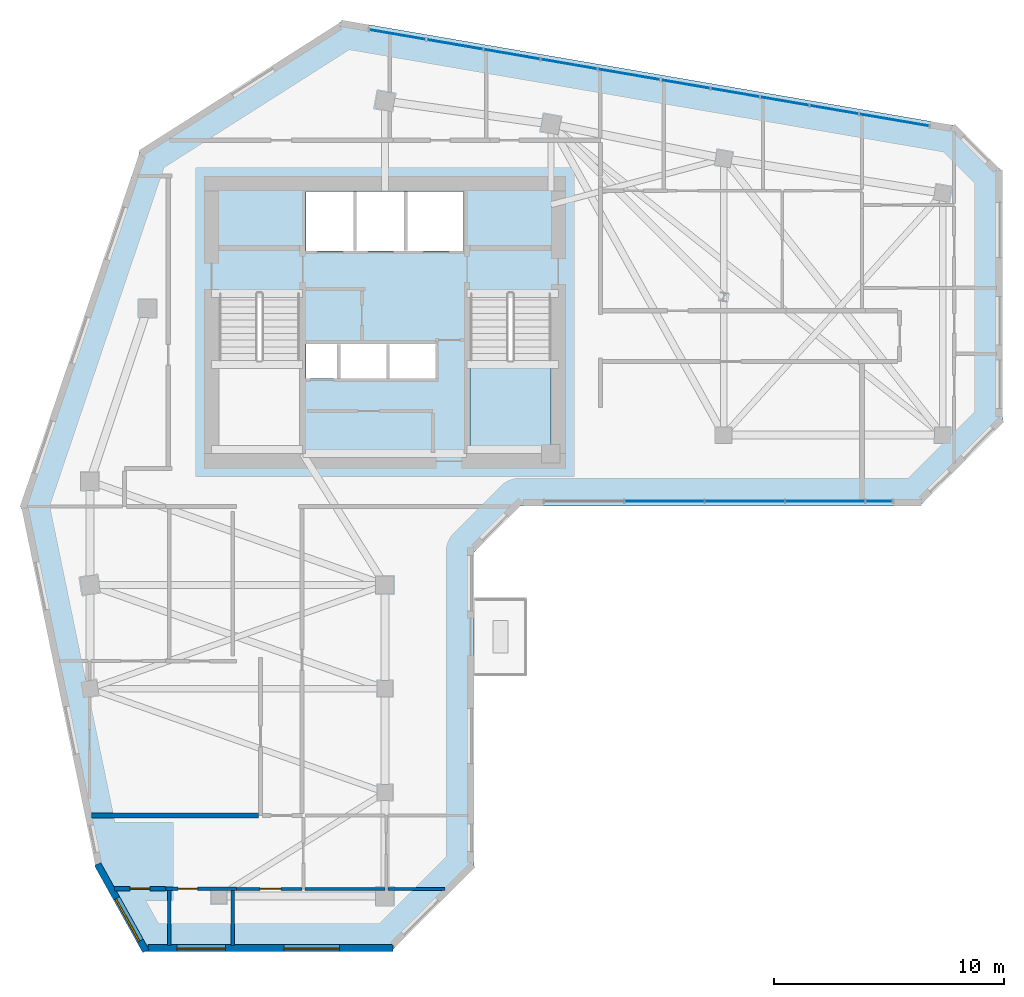
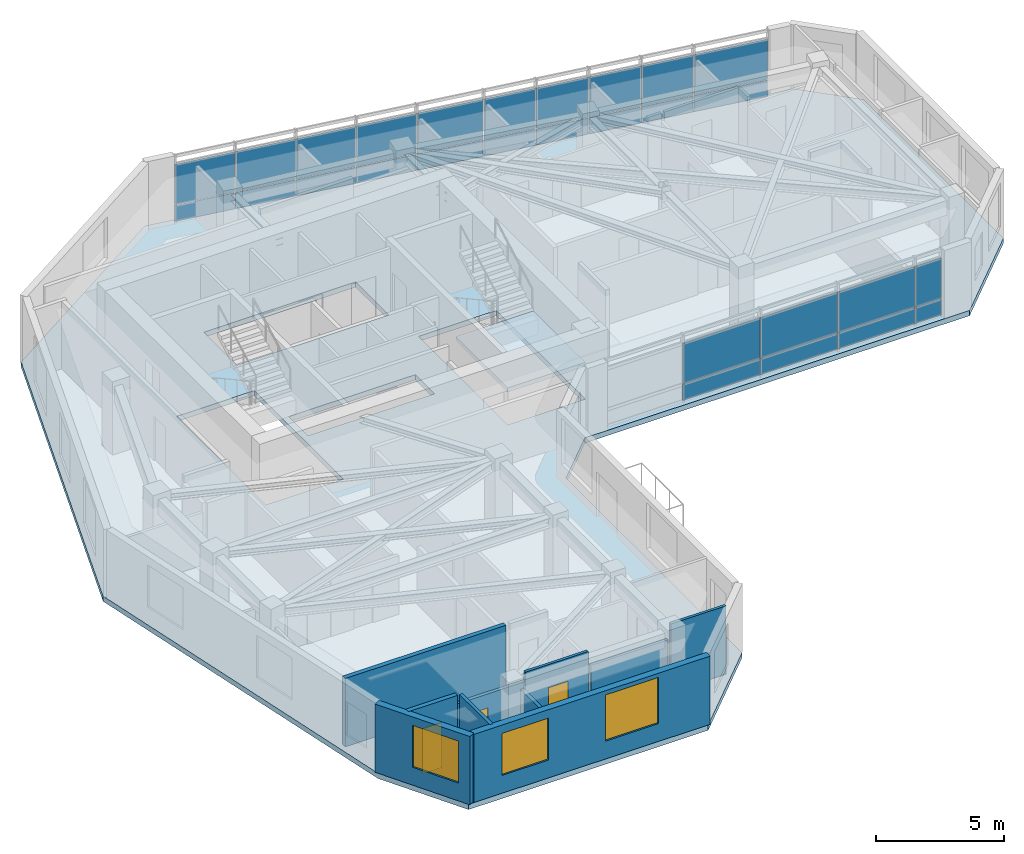
# One storey, part 3 of 10: 28 plates, 10 walls, 3 doors, 3 windows, 2 slabs, 6 openings, 3 elements without a shape of their own.
"""IFC4 building model written with IfcOpenShell, lengths in metres."""

import ifcopenshell
import ifcopenshell.guid

model = None  # the IFC model being written
_history = None  # IfcOwnerHistory: only IFC2X3 demands one
_inside = {}  # id of a spatial element -> (the spatial element, [elements in it])
_under = {}  # id of a project, library or spatial element -> (it, [spatial elements below it])
_declared = {}  # id of a project -> (the project, [libraries it declares])
_typed = {}  # id of a type object -> (the type object, [elements of that type])
_made_of = {}  # id of a material, layer set ... -> (it, [elements and type objects made of it])


def new_model(schema):
    """Start an empty IFC model of exactly this schema.

    Asked for "IFC4X3", IfcOpenShell would pick the latest addendum, in which some entities
    have other attributes; the version numbers below select the first issue.
    IFC2X3 requires an IfcOwnerHistory on every rooted entity: one is made here for all.
    """
    global model, _history
    if schema == "IFC4X3":
        model = ifcopenshell.file(schema_version=(4, 3, 0, 0))
    else:
        model = ifcopenshell.file(schema=schema)
    _inside.clear()
    _under.clear()
    _declared.clear()
    _typed.clear()
    _made_of.clear()
    _history = None
    if model.schema == "IFC2X3":
        org = make("IfcOrganization", Name="unknown")
        user = make(
            "IfcPersonAndOrganization",
            ThePerson=make("IfcPerson", FamilyName="unknown"),
            TheOrganization=org,
        )
        app = make(
            "IfcApplication",
            ApplicationDeveloper=org,
            Version="unknown",
            ApplicationFullName="unknown",
            ApplicationIdentifier="unknown",
        )
        _history = make(
            "IfcOwnerHistory",
            OwningUser=user,
            OwningApplication=app,
            ChangeAction="ADDED",
            CreationDate=0,
        )
    return model


def make(cls, **values):
    """One entity of the class cls with the attributes given. An attribute that is None is left unset."""
    return model.create_entity(
        cls, **{name: value for name, value in values.items() if value is not None}
    )


def rooted(cls, **values):
    """An entity with a GlobalId (a new one), such as an element, a storey or a relation."""
    return make(cls, GlobalId=ifcopenshell.guid.new(), OwnerHistory=_history, **values)


def si_unit(unit_type, name, prefix=None):
    """IfcSIUnit, for example si_unit("LENGTHUNIT", "METRE", prefix="MILLI")."""
    return make("IfcSIUnit", UnitType=unit_type, Prefix=prefix, Name=name)


def assignment(units):
    """IfcUnitAssignment: the units of a project."""
    return None if units is None else make("IfcUnitAssignment", Units=units)


def point(xyz):
    """IfcCartesianPoint."""
    return None if xyz is None else make("IfcCartesianPoint", Coordinates=xyz)


def direction(xyz):
    """IfcDirection."""
    return None if xyz is None else make("IfcDirection", DirectionRatios=xyz)


def frame(location, z_axis=None, x_axis=None):
    """IfcAxis2Placement3D, a coordinate frame: its origin and axes. An axis left out is left unset."""
    return make(
        "IfcAxis2Placement3D",
        Location=point(location),
        Axis=direction(z_axis),
        RefDirection=direction(x_axis),
    )


def frame_2d(location, x_axis=None):
    """IfcAxis2Placement2D, a coordinate frame in the plane: its origin and x axis."""
    return make(
        "IfcAxis2Placement2D", Location=point(location), RefDirection=direction(x_axis)
    )


def origin():
    """The frame at (0, 0, 0) with its axes left unset."""
    return frame((0.0, 0.0, 0.0))


def place(relative_to, where):
    """IfcLocalPlacement: puts the frame where relative to a parent placement (None: the world)."""
    return make(
        "IfcLocalPlacement", PlacementRelTo=relative_to, RelativePlacement=where
    )


def context(
    kind, dimensions, precision=None, world=None, true_north=None, identifier=None
):
    """IfcGeometricRepresentationContext, for example the 3D "Model" context."""
    return make(
        "IfcGeometricRepresentationContext",
        ContextIdentifier=identifier,
        ContextType=kind,
        CoordinateSpaceDimension=dimensions,
        Precision=precision,
        WorldCoordinateSystem=world,
        TrueNorth=true_north,
    )


def subcontext(parent, identifier, kind, view, scale=None):
    """IfcGeometricRepresentationSubContext, for example "Body" below "Model"."""
    return make(
        "IfcGeometricRepresentationSubContext",
        ContextIdentifier=identifier,
        ContextType=kind,
        ParentContext=parent,
        TargetScale=scale,
        TargetView=view,
    )


def project(units=None, contexts=None):
    """IfcProject with its units and contexts."""
    return rooted(
        "IfcProject",
        Name="project",
        RepresentationContexts=contexts,
        UnitsInContext=assignment(units),
    )


def spatial(cls, under=None, at=None, **own):
    """A site, building, storey or space (cls), placed at a placement, below another one or the project."""
    s = rooted(cls, ObjectPlacement=at, **own)
    if under is not None:
        _under.setdefault(under.id(), (under, []))[1].append(s)
    return s


def polyline(points):
    """IfcPolyline through the points."""
    return make("IfcPolyline", Points=[point(p) for p in points])


def profile(cls, at=None, kind="AREA", **sizes):
    """A parametric profile (cls). Its sizes go by their IFC names, for example OverallWidth=200.0."""
    return make(cls, ProfileType=kind, Position=at, **sizes)


def rectangle(**sizes):
    """IfcRectangleProfileDef."""
    return profile("IfcRectangleProfileDef", **sizes)


def outline(outer, holes=None, kind="AREA"):
    """IfcArbitraryClosedProfileDef: a profile drawn as a closed curve; with holes, ...WithVoids."""
    if holes is None:
        return make("IfcArbitraryClosedProfileDef", ProfileType=kind, OuterCurve=outer)
    return make(
        "IfcArbitraryProfileDefWithVoids",
        ProfileType=kind,
        OuterCurve=outer,
        InnerCurves=holes,
    )


def extrude(swept, where, along, depth):
    """IfcExtrudedAreaSolid: the profile swept, set in the frame where, extruded along a direction by depth."""
    return make(
        "IfcExtrudedAreaSolid",
        SweptArea=swept,
        Position=where,
        ExtrudedDirection=direction(along),
        Depth=depth,
    )


def shape(context_of_items, identifier, shape_type, items):
    """IfcShapeRepresentation: the items that make up one representation, for example the "Body"."""
    return make(
        "IfcShapeRepresentation",
        ContextOfItems=context_of_items,
        RepresentationIdentifier=identifier,
        RepresentationType=shape_type,
        Items=items,
    )


def source(mapping_origin, context_of_items, identifier, shape_type, items):
    """IfcRepresentationMap: a shape defined once, which mapped items show again and again."""
    return make(
        "IfcRepresentationMap",
        MappingOrigin=mapping_origin,
        MappedRepresentation=shape(context_of_items, identifier, shape_type, items),
    )


def transform(
    local_origin,
    x_axis=None,
    y_axis=None,
    z_axis=None,
    scale=None,
    scale2=None,
    scale3=None,
    uniform=True,
):
    """IfcCartesianTransformationOperator3D, or its non-uniform kind. x_axis, y_axis, z_axis: its Axis1, 2, 3."""
    if uniform:
        return make(
            "IfcCartesianTransformationOperator3D",
            Axis1=direction(x_axis),
            Axis2=direction(y_axis),
            LocalOrigin=point(local_origin),
            Scale=scale,
            Axis3=direction(z_axis),
        )
    return make(
        "IfcCartesianTransformationOperator3DnonUniform",
        Axis1=direction(x_axis),
        Axis2=direction(y_axis),
        LocalOrigin=point(local_origin),
        Scale=scale,
        Axis3=direction(z_axis),
        Scale2=scale2,
        Scale3=scale3,
    )


def mapped(mapping_source, mapping_target):
    """IfcMappedItem: shows the shape of a source again, moved by a transform."""
    return make(
        "IfcMappedItem", MappingSource=mapping_source, MappingTarget=mapping_target
    )


def material(Name=None, Category=None):
    """IfcMaterial."""
    return make("IfcMaterial", Name=Name, Category=Category)


def layer(
    of_material, thickness, ventilated=None, Name=None, Category=None, Priority=None
):
    """IfcMaterialLayer: one layer of a wall or slab, of a material (None: an air gap)."""
    return make(
        "IfcMaterialLayer",
        Material=of_material,
        LayerThickness=thickness,
        IsVentilated=ventilated,
        Name=Name,
        Category=Category,
        Priority=Priority,
    )


def layer_set(layers, Name=None):
    """IfcMaterialLayerSet."""
    return make("IfcMaterialLayerSet", MaterialLayers=layers, LayerSetName=Name)


def made_of(thing, what):
    """Note that an element or type object is made of a material, layer set ...; save() writes the relation."""
    if what is not None:
        _made_of.setdefault(what.id(), (what, []))[1].append(thing)
    return thing


def type_object(cls, material=None, **own):
    """A type object (cls), such as IfcWallType, which elements share."""
    return made_of(rooted(cls, **own), material)


def element(
    cls,
    number,
    at=None,
    inside=None,
    cuts=None,
    type_object=None,
    material=None,
    context=None,
    identifier="Body",
    shape_type=None,
    held_by="IfcProductDefinitionShape",
    body=None,
    shapes=None,
    **own,
):
    """One element of the class cls, such as IfcWall. Its Tag is "e" and its number.

    at: its placement. inside: the storey or other place that contains it. cuts: it is an
    opening in that element (IfcRelVoidsElement). A single representation is given by context,
    identifier, shape_type and body (its items); several are given by shapes. held_by: the class
    of the entity that holds the representations. save() writes the other relations.
    """
    e = rooted(cls, Tag="e%d" % number, ObjectPlacement=at, **own)
    if body is not None:
        shapes = [shape(context, identifier, shape_type, body)]
    if shapes is not None:
        e.Representation = make(held_by, Representations=shapes)
    if inside is not None:
        _inside.setdefault(inside.id(), (inside, []))[1].append(e)
    if cuts is not None:
        rooted(
            "IfcRelVoidsElement", RelatingBuildingElement=cuts, RelatedOpeningElement=e
        )
    if type_object is not None:
        _typed.setdefault(type_object.id(), (type_object, []))[1].append(e)
    return made_of(e, material)


def fill(opening, filler):
    """IfcRelFillsElement: the door or window that sits in an opening."""
    return rooted(
        "IfcRelFillsElement",
        RelatingOpeningElement=opening,
        RelatedBuildingElement=filler,
    )


def aggregate(whole, parts):
    """IfcRelAggregates: a whole, such as a stair, and the parts it consists of."""
    return rooted("IfcRelAggregates", RelatingObject=whole, RelatedObjects=parts)


def save(model, path):
    """Write the relations noted so far, then the file.

    IfcRelAggregates (storeys below a building ...), IfcRelContainedInSpatialStructure (elements
    in a storey), IfcRelDefinesByType, IfcRelAssociatesMaterial and IfcRelDeclares: one each for
    every whole, place, type object, material and project.
    """
    for whole, parts in _under.values():
        aggregate(whole, parts)
    for where, things in _inside.values():
        rooted(
            "IfcRelContainedInSpatialStructure",
            RelatedElements=things,
            RelatingStructure=where,
        )
    for kind, things in _typed.values():
        rooted("IfcRelDefinesByType", RelatedObjects=things, RelatingType=kind)
    for what, things in _made_of.values():
        rooted("IfcRelAssociatesMaterial", RelatedObjects=things, RelatingMaterial=what)
    for by, libraries in _declared.values():
        rooted("IfcRelDeclares", RelatingContext=by, RelatedDefinitions=libraries)
    model.write(path)


model = new_model("IFC4")

# Units and contexts
model_context = context("Model", 3, precision=1e-05, world=origin(), true_north=direction((0.0, 1.0)))
body_context = subcontext(model_context, "Body", "Model", "MODEL_VIEW")
ifc_project = project(units=[si_unit("LENGTHUNIT", "METRE"), si_unit("AREAUNIT", "SQUARE_METRE"), si_unit("VOLUMEUNIT", "CUBIC_METRE"), si_unit("PLANEANGLEUNIT", "RADIAN"), si_unit("MASSUNIT", "GRAM", prefix="KILO")], contexts=[model_context])

# Site, building, storey
site_placement = place(None, origin())
site = spatial("IfcSite", under=ifc_project, at=site_placement, CompositionType="ELEMENT")
building_placement = place(site_placement, origin())
building = spatial("IfcBuilding", under=site, at=building_placement, Name="Calvemar Wedge Station Tower", CompositionType="ELEMENT")
storey_placement = place(building_placement, frame((0.0, 0.0, 200.89990234375)))
storey = spatial("IfcBuildingStorey", under=building, at=storey_placement, Name="L50", CompositionType="ELEMENT", Elevation=200.89990234375)

# Curtain wall, plates
ifc_material_1 = material(Name="Anodised aluminium 6063-T6", Category="aluminium")
curtain_wall_type = type_object("IfcCurtainWallType", Name="CW3", PredefinedType="NOTDEFINED", material=ifc_material_1)
curtain_wall_1_placement = place(storey_placement, origin())
curtain_wall_1 = element("IfcCurtainWall", 1, at=curtain_wall_1_placement, inside=storey, type_object=curtain_wall_type, Name="Storey L50 CW3 Recessed Unitised Curtain Wall 6", PredefinedType="NOTDEFINED")
ifc_material_2 = material(Name="Low-E laminated insulated glass", Category="glass")
ifc_layer_1 = layer(ifc_material_2, 0.028076171875)
ifc_layer_set_1 = layer_set([ifc_layer_1], Name="Low-E laminated insulated glass")
plate_type_1 = type_object("IfcPlateType", Name="CW3-GLZ", PredefinedType="CURTAIN_PANEL", material=ifc_layer_set_1)
plate_1_placement = place(storey_placement, frame((34.204345703125, 32.134033203125, 0.8701171875), z_axis=(0.0, 0.0, 1.0), x_axis=(1.0, 0.0, 0.0)))
plate_1 = element("IfcPlate", 2, at=plate_1_placement, type_object=plate_type_1, Name="CW3 vision glass panel 2", PredefinedType="CURTAIN_PANEL", context=body_context, shape_type="SweptSolid", body=[
    extrude(rectangle(XDim=3.44873046875, YDim=0.028076171875, at=frame_2d((1.724365234375, 0.0))), origin(), (0.0, 0.0, 1.0), 1.909912109375),
])
plate_2_placement = place(storey_placement, frame((37.68896484375, 32.134033203125, 0.8701171875), z_axis=(0.0, 0.0, 1.0), x_axis=(1.0, 0.0, 0.0)))
plate_2 = element("IfcPlate", 3, at=plate_2_placement, type_object=plate_type_1, Name="CW3 vision glass panel 3", PredefinedType="CURTAIN_PANEL", context=body_context, shape_type="SweptSolid", body=[
    extrude(rectangle(XDim=3.448486328125, YDim=0.028076171875, at=frame_2d((1.72412109375, 0.0))), origin(), (0.0, 0.0, 1.0), 1.909912109375),
])
plate_3_placement = place(storey_placement, frame((41.173583984375, 32.134033203125, 0.8701171875), z_axis=(0.0, 0.0, 1.0), x_axis=(1.0, 0.0, 0.0)))
plate_3 = element("IfcPlate", 4, at=plate_3_placement, type_object=plate_type_1, Name="CW3 vision glass panel 4", PredefinedType="CURTAIN_PANEL", context=body_context, shape_type="SweptSolid", body=[
    extrude(rectangle(XDim=3.448486328125, YDim=0.028076171875, at=frame_2d((1.72412109375, 0.0))), origin(), (0.0, 0.0, 1.0), 1.909912109375),
])
plate_4_placement = place(storey_placement, frame((44.657958984375, 32.134033203125, 0.8701171875), z_axis=(0.0, 0.0, 1.0), x_axis=(1.0, 0.0, 0.0)))
plate_4 = element("IfcPlate", 5, at=plate_4_placement, type_object=plate_type_1, Name="CW3 vision glass panel 5", PredefinedType="CURTAIN_PANEL", context=body_context, shape_type="SweptSolid", body=[
    extrude(rectangle(XDim=1.161865234375, YDim=0.028076171875, at=frame_2d((0.5810546875, 0.0))), origin(), (0.0, 0.0, 1.0), 1.909912109375),
])

curtain_wall_2_placement = place(storey_placement, origin())
curtain_wall_2 = element("IfcCurtainWall", 6, at=curtain_wall_2_placement, inside=storey, type_object=curtain_wall_type, Name="Storey L50 CW3 Recessed Unitised Curtain Wall 10", PredefinedType="NOTDEFINED")
plate_5_placement = place(storey_placement, frame((47.415771484375, 48.414794921875, 0.8701171875), z_axis=(0.0, 0.0, 1.0), x_axis=(-0.985532089048, 0.16948894199, 0.0)))
plate_5 = element("IfcPlate", 7, at=plate_5_placement, type_object=plate_type_1, Name="CW3 vision glass panel 1", PredefinedType="CURTAIN_PANEL", context=body_context, shape_type="SweptSolid", body=[
    extrude(rectangle(XDim=3.071044921875, YDim=0.028076171875, at=frame_2d((1.53564453125, 0.0))), origin(), (0.0, 0.0, 1.0), 1.909912109375),
])
plate_6_placement = place(storey_placement, frame((44.353515625, 48.94140625, 0.8701171875), z_axis=(0.0, 0.0, 1.0), x_axis=(-0.985522462135, 0.169544910355, 0.0)))
plate_6 = element("IfcPlate", 8, at=plate_6_placement, type_object=plate_type_1, Name="CW3 vision glass panel 2", PredefinedType="CURTAIN_PANEL", context=body_context, shape_type="SweptSolid", body=[
    extrude(rectangle(XDim=2.1455078125, YDim=0.028076171875, at=frame_2d((1.07275390625, 0.0))), origin(), (0.0, 0.0, 1.0), 1.909912109375),
])
plate_7_placement = place(storey_placement, frame((42.20361328125, 49.311279296875, 0.8701171875), z_axis=(0.0, 0.0, 1.0), x_axis=(-0.985522462135, 0.169544910355, 0.0)))
plate_7 = element("IfcPlate", 9, at=plate_7_placement, type_object=plate_type_1, Name="CW3 vision glass panel 3", PredefinedType="CURTAIN_PANEL", context=body_context, shape_type="SweptSolid", body=[
    extrude(rectangle(XDim=2.1455078125, YDim=0.028076171875, at=frame_2d((1.07275390625, 0.0))), origin(), (0.0, 0.0, 1.0), 1.909912109375),
])
plate_8_placement = place(storey_placement, frame((40.0537109375, 49.68115234375, 0.8701171875), z_axis=(0.0, 0.0, 1.0), x_axis=(-0.985522462135, 0.169544910355, 0.0)))
plate_8 = element("IfcPlate", 10, at=plate_8_placement, type_object=plate_type_1, Name="CW3 vision glass panel 4", PredefinedType="CURTAIN_PANEL", context=body_context, shape_type="SweptSolid", body=[
    extrude(rectangle(XDim=2.1455078125, YDim=0.028076171875, at=frame_2d((1.07275390625, 0.0))), origin(), (0.0, 0.0, 1.0), 1.909912109375),
])
plate_9_placement = place(storey_placement, frame((37.903564453125, 50.051025390625, 0.8701171875), z_axis=(0.0, 0.0, 1.0), x_axis=(-0.985522462135, 0.169544910355, 0.0)))
plate_9 = element("IfcPlate", 11, at=plate_9_placement, type_object=plate_type_1, Name="CW3 vision glass panel 5", PredefinedType="CURTAIN_PANEL", context=body_context, shape_type="SweptSolid", body=[
    extrude(rectangle(XDim=2.1455078125, YDim=0.028076171875, at=frame_2d((1.07275390625, 0.0))), origin(), (0.0, 0.0, 1.0), 1.909912109375),
])
plate_10_placement = place(storey_placement, frame((35.753662109375, 50.4208984375, 0.8701171875), z_axis=(0.0, 0.0, 1.0), x_axis=(-0.985520439195, 0.169556668781, 0.0)))
plate_10 = element("IfcPlate", 12, at=plate_10_placement, type_object=plate_type_1, Name="CW3 vision glass panel 6", PredefinedType="CURTAIN_PANEL", context=body_context, shape_type="SweptSolid", body=[
    extrude(rectangle(XDim=2.75439453125, YDim=0.028076171875, at=frame_2d((1.377197265625, 0.0))), origin(), (0.0, 0.0, 1.0), 1.909912109375),
])
plate_11_placement = place(storey_placement, frame((33.003662109375, 50.89404296875, 0.8701171875), z_axis=(0.0, 0.0, 1.0), x_axis=(-0.985522121529, 0.169546890203, 0.0)))
plate_11 = element("IfcPlate", 13, at=plate_11_placement, type_object=plate_type_1, Name="CW3 vision glass panel 7", PredefinedType="CURTAIN_PANEL", context=body_context, shape_type="SweptSolid", body=[
    extrude(rectangle(XDim=2.475341796875, YDim=0.028076171875, at=frame_2d((1.23779296875, 0.0))), origin(), (0.0, 0.0, 1.0), 1.909912109375),
])
plate_12_placement = place(storey_placement, frame((30.528564453125, 51.319580078125, 0.8701171875), z_axis=(0.0, 0.0, 1.0), x_axis=(-0.985505636657, 0.169642683652, 0.0)))
plate_12 = element("IfcPlate", 14, at=plate_12_placement, type_object=plate_type_1, Name="CW3 vision glass panel 8", PredefinedType="CURTAIN_PANEL", context=body_context, shape_type="SweptSolid", body=[
    extrude(rectangle(XDim=2.475341796875, YDim=0.028076171875, at=frame_2d((1.23779296875, 0.0))), origin(), (0.0, 0.0, 1.0), 1.909912109375),
])
plate_13_placement = place(storey_placement, frame((28.0537109375, 51.74560546875, 0.8701171875), z_axis=(0.0, 0.0, 1.0), x_axis=(-0.98553324407, 0.169482225713, 0.0)))
plate_13 = element("IfcPlate", 15, at=plate_13_placement, type_object=plate_type_1, Name="CW3 vision glass panel 9", PredefinedType="CURTAIN_PANEL", context=body_context, shape_type="SweptSolid", body=[
    extrude(rectangle(XDim=2.4833984375, YDim=0.028076171875, at=frame_2d((1.24169921875, 0.0))), origin(), (0.0, 0.0, 1.0), 1.909912109375),
])
plate_14_placement = place(storey_placement, frame((25.57080078125, 52.172607421875, 0.8701171875), z_axis=(0.0, 0.0, 1.0), x_axis=(-0.985516819371, 0.169577707074, 0.0)))
plate_14 = element("IfcPlate", 16, at=plate_14_placement, type_object=plate_type_1, Name="CW3 vision glass panel 10", PredefinedType="CURTAIN_PANEL", context=body_context, shape_type="SweptSolid", body=[
    extrude(rectangle(XDim=2.4833984375, YDim=0.028076171875, at=frame_2d((1.24169921875, 0.0))), origin(), (0.0, 0.0, 1.0), 1.909912109375),
])

# Plate
ifc_material_3 = material(Name="Oxidized bronze aluminium spandrel panel 5005-H24", Category="aluminium")
ifc_layer_2 = layer(ifc_material_3, 0.0400390625)
ifc_layer_set_2 = layer_set([ifc_layer_2], Name="Oxidized bronze aluminium spandrel panel 5005-H24")
plate_type_2 = type_object("IfcPlateType", Name="CW3-SPD", PredefinedType="SHEET", material=ifc_layer_set_2)
plate_15_placement = place(storey_placement, frame((34.204345703125, 32.134033203125, 0.080078125), z_axis=(0.0, 0.0, 1.0), x_axis=(1.0, 0.0, 0.0)))
plate_15 = element("IfcPlate", 17, at=plate_15_placement, type_object=plate_type_2, Name="CW3 bronze spandrel panel 2", PredefinedType="SHEET", context=body_context, shape_type="SweptSolid", body=[
    extrude(rectangle(XDim=3.44873046875, YDim=0.0400390625, at=frame_2d((1.724365234375, 0.0))), origin(), (0.0, 0.0, 1.0), 0.75),
])

plate_16_placement = place(storey_placement, frame((37.68896484375, 32.134033203125, 0.080078125), z_axis=(0.0, 0.0, 1.0), x_axis=(1.0, 0.0, 0.0)))
plate_16 = element("IfcPlate", 18, at=plate_16_placement, type_object=plate_type_2, Name="CW3 bronze spandrel panel 3", PredefinedType="SHEET", context=body_context, shape_type="SweptSolid", body=[
    extrude(rectangle(XDim=3.448486328125, YDim=0.0400390625, at=frame_2d((1.72412109375, 0.0))), origin(), (0.0, 0.0, 1.0), 0.75),
])

plate_17_placement = place(storey_placement, frame((41.173583984375, 32.134033203125, 0.080078125), z_axis=(0.0, 0.0, 1.0), x_axis=(1.0, 0.0, 0.0)))
plate_17 = element("IfcPlate", 19, at=plate_17_placement, type_object=plate_type_2, Name="CW3 bronze spandrel panel 4", PredefinedType="SHEET", context=body_context, shape_type="SweptSolid", body=[
    extrude(rectangle(XDim=3.448486328125, YDim=0.0400390625, at=frame_2d((1.72412109375, 0.0))), origin(), (0.0, 0.0, 1.0), 0.75),
])

plate_18_placement = place(storey_placement, frame((44.657958984375, 32.134033203125, 0.080078125), z_axis=(0.0, 0.0, 1.0), x_axis=(1.0, 0.0, 0.0)))
plate_18 = element("IfcPlate", 20, at=plate_18_placement, type_object=plate_type_2, Name="CW3 bronze spandrel panel 5", PredefinedType="SHEET", context=body_context, shape_type="SweptSolid", body=[
    extrude(rectangle(XDim=1.161865234375, YDim=0.0400390625, at=frame_2d((0.5810546875, 0.0))), origin(), (0.0, 0.0, 1.0), 0.75),
])

aggregate(curtain_wall_1, [plate_15, plate_1, plate_16, plate_2, plate_17, plate_3, plate_18, plate_4])

plate_19_placement = place(storey_placement, frame((47.415771484375, 48.414794921875, 0.080078125), z_axis=(0.0, 0.0, 1.0), x_axis=(-0.985532089048, 0.16948894199, 0.0)))
plate_19 = element("IfcPlate", 21, at=plate_19_placement, type_object=plate_type_2, Name="CW3 bronze spandrel panel 1", PredefinedType="SHEET", context=body_context, shape_type="SweptSolid", body=[
    extrude(rectangle(XDim=3.071044921875, YDim=0.0400390625, at=frame_2d((1.53564453125, 0.0))), origin(), (0.0, 0.0, 1.0), 0.75),
])

plate_20_placement = place(storey_placement, frame((44.353515625, 48.94140625, 0.080078125), z_axis=(0.0, 0.0, 1.0), x_axis=(-0.985522462135, 0.169544910355, 0.0)))
plate_20 = element("IfcPlate", 22, at=plate_20_placement, type_object=plate_type_2, Name="CW3 bronze spandrel panel 2", PredefinedType="SHEET", context=body_context, shape_type="SweptSolid", body=[
    extrude(rectangle(XDim=2.1455078125, YDim=0.0400390625, at=frame_2d((1.07275390625, 0.0))), origin(), (0.0, 0.0, 1.0), 0.75),
])

plate_21_placement = place(storey_placement, frame((42.20361328125, 49.311279296875, 0.080078125), z_axis=(0.0, 0.0, 1.0), x_axis=(-0.985522462135, 0.169544910355, 0.0)))
plate_21 = element("IfcPlate", 23, at=plate_21_placement, type_object=plate_type_2, Name="CW3 bronze spandrel panel 3", PredefinedType="SHEET", context=body_context, shape_type="SweptSolid", body=[
    extrude(rectangle(XDim=2.1455078125, YDim=0.0400390625, at=frame_2d((1.07275390625, 0.0))), origin(), (0.0, 0.0, 1.0), 0.75),
])

plate_22_placement = place(storey_placement, frame((40.0537109375, 49.68115234375, 0.080078125), z_axis=(0.0, 0.0, 1.0), x_axis=(-0.985522462135, 0.169544910355, 0.0)))
plate_22 = element("IfcPlate", 24, at=plate_22_placement, type_object=plate_type_2, Name="CW3 bronze spandrel panel 4", PredefinedType="SHEET", context=body_context, shape_type="SweptSolid", body=[
    extrude(rectangle(XDim=2.1455078125, YDim=0.0400390625, at=frame_2d((1.07275390625, 0.0))), origin(), (0.0, 0.0, 1.0), 0.75),
])

plate_23_placement = place(storey_placement, frame((37.903564453125, 50.051025390625, 0.080078125), z_axis=(0.0, 0.0, 1.0), x_axis=(-0.985522462135, 0.169544910355, 0.0)))
plate_23 = element("IfcPlate", 25, at=plate_23_placement, type_object=plate_type_2, Name="CW3 bronze spandrel panel 5", PredefinedType="SHEET", context=body_context, shape_type="SweptSolid", body=[
    extrude(rectangle(XDim=2.1455078125, YDim=0.0400390625, at=frame_2d((1.07275390625, 0.0))), origin(), (0.0, 0.0, 1.0), 0.75),
])

plate_24_placement = place(storey_placement, frame((35.753662109375, 50.4208984375, 0.080078125), z_axis=(0.0, 0.0, 1.0), x_axis=(-0.985520439195, 0.169556668781, 0.0)))
plate_24 = element("IfcPlate", 26, at=plate_24_placement, type_object=plate_type_2, Name="CW3 bronze spandrel panel 6", PredefinedType="SHEET", context=body_context, shape_type="SweptSolid", body=[
    extrude(rectangle(XDim=2.75439453125, YDim=0.0400390625, at=frame_2d((1.377197265625, 0.0))), origin(), (0.0, 0.0, 1.0), 0.75),
])

plate_25_placement = place(storey_placement, frame((33.003662109375, 50.89404296875, 0.080078125), z_axis=(0.0, 0.0, 1.0), x_axis=(-0.985522121529, 0.169546890203, 0.0)))
plate_25 = element("IfcPlate", 27, at=plate_25_placement, type_object=plate_type_2, Name="CW3 bronze spandrel panel 7", PredefinedType="SHEET", context=body_context, shape_type="SweptSolid", body=[
    extrude(rectangle(XDim=2.475341796875, YDim=0.0400390625, at=frame_2d((1.23779296875, 0.0))), origin(), (0.0, 0.0, 1.0), 0.75),
])

plate_26_placement = place(storey_placement, frame((30.528564453125, 51.319580078125, 0.080078125), z_axis=(0.0, 0.0, 1.0), x_axis=(-0.985505636657, 0.169642683652, 0.0)))
plate_26 = element("IfcPlate", 28, at=plate_26_placement, type_object=plate_type_2, Name="CW3 bronze spandrel panel 8", PredefinedType="SHEET", context=body_context, shape_type="SweptSolid", body=[
    extrude(rectangle(XDim=2.475341796875, YDim=0.0400390625, at=frame_2d((1.23779296875, 0.0))), origin(), (0.0, 0.0, 1.0), 0.75),
])

plate_27_placement = place(storey_placement, frame((28.0537109375, 51.74560546875, 0.080078125), z_axis=(0.0, 0.0, 1.0), x_axis=(-0.98553324407, 0.169482225713, 0.0)))
plate_27 = element("IfcPlate", 29, at=plate_27_placement, type_object=plate_type_2, Name="CW3 bronze spandrel panel 9", PredefinedType="SHEET", context=body_context, shape_type="SweptSolid", body=[
    extrude(rectangle(XDim=2.4833984375, YDim=0.0400390625, at=frame_2d((1.24169921875, 0.0))), origin(), (0.0, 0.0, 1.0), 0.75),
])

plate_28_placement = place(storey_placement, frame((25.57080078125, 52.172607421875, 0.080078125), z_axis=(0.0, 0.0, 1.0), x_axis=(-0.985516819371, 0.169577707074, 0.0)))
plate_28 = element("IfcPlate", 30, at=plate_28_placement, type_object=plate_type_2, Name="CW3 bronze spandrel panel 10", PredefinedType="SHEET", context=body_context, shape_type="SweptSolid", body=[
    extrude(rectangle(XDim=2.4833984375, YDim=0.0400390625, at=frame_2d((1.24169921875, 0.0))), origin(), (0.0, 0.0, 1.0), 0.75),
])

aggregate(curtain_wall_2, [plate_19, plate_5, plate_20, plate_6, plate_21, plate_7, plate_22, plate_8, plate_23, plate_9, plate_24, plate_10, plate_25, plate_11, plate_26, plate_12, plate_27, plate_13, plate_28, plate_14])

# Stair, slab
ifc_material_4 = material(Name="Concrete C45", Category="concrete")
stair_type = type_object("IfcStairType", Name="ST-TYPE-3500", PredefinedType="HALF_TURN_STAIR", material=ifc_material_4)
stair_placement = place(storey_placement, origin())
stair = element("IfcStair", 31, at=stair_placement, inside=storey, type_object=stair_type, Name="L50 Pressurized Core Exit Stair ST-C2", PredefinedType="HALF_TURN_STAIR")
ifc_layer_3 = layer(ifc_material_4, 0.199951171875)
ifc_layer_set_3 = layer_set([ifc_layer_3], Name="Concrete C45")
slab_type_1 = type_object("IfcSlabType", Name="SL-STAIR-LND-200", PredefinedType="LANDING", material=ifc_layer_set_3)
slab_1_placement = place(storey_placement, frame((0.0, 0.0, 1.550048828125)))
slab_1 = element("IfcSlab", 32, at=slab_1_placement, type_object=slab_type_1, Name="ST-C2 landing 1", PredefinedType="LANDING", context=body_context, shape_type="SweptSolid", body=[
    extrude(outline(polyline([(27.5, 38.25), (27.5, 34.199951171875), (31.0, 34.199951171875), (31.0, 38.25), (27.5, 38.25)])), origin(), (0.0, 0.0, 1.0), 0.199951171875),
])
aggregate(stair, [slab_1])

# Slab
ifc_material_5 = material(Name="Concrete C50", Category="concrete")
ifc_layer_4 = layer(ifc_material_5, 0.25)
ifc_layer_set_4 = layer_set([ifc_layer_4], Name="Concrete C50")
slab_type_2 = type_object("IfcSlabType", Name="SL-TYP-250", PredefinedType="FLOOR", material=ifc_layer_set_4)
slab_2_placement = place(storey_placement, frame((0.0, 0.0, -0.25)))
element("IfcSlab", 33, at=slab_2_placement, inside=storey, type_object=slab_type_2, Name="Storey L50 Structural Floor Slab", PredefinedType="FLOOR", context=body_context, shape_type="SweptSolid", body=[
    extrude(outline(polyline([(8.0, 32.0), (11.263916015625, 16.199951171875), (13.263916015625, 12.60009765625), (24.06396484375, 12.60009765625), (27.6640625, 16.199951171875), (27.6640625, 29.924072265625), (29.6640625, 31.924072265625), (47.0, 31.924072265625), (50.60009765625, 35.52392578125), (50.60009765625, 46.424072265625), (48.60009765625, 48.424072265625), (22.0, 53.0), (13.199951171875, 47.39990234375), (8.0, 32.0)]), holes=[polyline([(20.10009765625, 34.199951171875), (20.10009765625, 41.14990234375), (16.60009765625, 41.14990234375), (16.60009765625, 34.199951171875), (20.10009765625, 34.199951171875)]), polyline([(27.5, 34.199951171875), (31.0, 34.199951171875), (31.0, 41.14990234375), (27.5, 41.14990234375), (27.5, 34.199951171875)]), polyline([(21.800048828125, 37.449951171875), (23.929931640625, 37.449951171875), (23.93994140625, 37.449951171875), (26.080078125, 37.449951171875), (26.080078125, 38.949951171875), (23.93994140625, 38.949951171875), (23.929931640625, 38.949951171875), (21.800048828125, 38.949951171875), (21.7900390625, 38.949951171875), (20.3798828125, 38.949951171875), (20.3798828125, 37.449951171875), (21.7900390625, 37.449951171875), (21.800048828125, 37.449951171875)]), polyline([(27.219970703125, 43.0), (27.219970703125, 45.580078125), (20.3798828125, 45.580078125), (20.3798828125, 43.0), (27.219970703125, 43.0)])]), origin(), (0.0, 0.0, 1.0), 0.25),
])

# Wall
ifc_material_6 = material(Name="Twin-stud fire-rated inter-tenancy wall")
ifc_layer_5 = layer(ifc_material_6, 0.199951171875)
ifc_layer_set_5 = layer_set([ifc_layer_5], Name="Twin-stud fire-rated inter-tenancy wall")
wall_type_1 = type_object("IfcWallType", Name="W-DEMISE-200", PredefinedType="PARTITIONING", material=ifc_layer_set_5)
wall_1_placement = place(storey_placement, frame((18.305908203125, 18.5, 0.0), z_axis=(0.0, 0.0, 1.0), x_axis=(-1.0, 0.0, 0.0)))
element("IfcWall", 34, at=wall_1_placement, inside=storey, type_object=wall_type_1, Name="Storey L50 Interior Partition WL-L50-056", PredefinedType="PARTITIONING", context=body_context, shape_type="SweptSolid", body=[
    extrude(rectangle(XDim=7.246337890625, YDim=0.199951171875, at=frame_2d((3.623046875, 0.0))), origin(), (0.0, 0.0, 1.0), 3.25),
])

# Wall, opening, door
wall_2_placement = place(storey_placement, frame((14.2880859375, 15.31494140625, 0.0), z_axis=(0.0, 0.0, 1.0), x_axis=(-1.0, 0.0, 0.0)))
wall_2 = element("IfcWall", 35, at=wall_2_placement, inside=storey, type_object=wall_type_1, Name="Storey L50 Interior Partition WL-L50-064", PredefinedType="PARTITIONING", context=body_context, shape_type="SweptSolid", body=[
    extrude(rectangle(XDim=2.229248046875, YDim=0.199951171875, at=frame_2d((1.11474609375, 0.0))), origin(), (0.0, 0.0, 1.0), 3.25),
])
shared_shape_1 = source(origin(), body_context, "Body", "SweptSolid", [
    extrude(rectangle(XDim=0.85009765625, YDim=2.14990234375, at=frame_2d((0.425048828125, 1.074951171875))), frame((0.0, 0.10986328125, 0.0), z_axis=(0.0, -1.0, 0.0), x_axis=(1.0, 0.0, 0.0)), (0.0, 0.0, 1.0), 0.219970703125),
])
opening_1_placement = place(wall_2_placement, frame((0.689697265625, 0.0, 0.0)))
opening_1 = element("IfcOpeningElement", 36, at=opening_1_placement, cuts=wall_2, Name="Opening D-02", PredefinedType="OPENING", context=body_context, shape_type="MappedRepresentation", body=[
    mapped(shared_shape_1, transform((0.0, 0.0, 0.0), scale=1.0)),
])
ifc_material_7 = material(Name="Moisture-sealed bathroom hardwood swing door", Category="wood")
door_type_1 = type_object("IfcDoorType", Name="DR-WET-850", OperationType="NOTDEFINED", PredefinedType="DOOR", material=ifc_material_7)
shared_shape_2 = source(origin(), body_context, "Body", "SweptSolid", [
    extrude(rectangle(XDim=0.85009765625, YDim=2.14990234375, at=frame_2d((0.425048828125, 1.074951171875))), frame((0.0, 0.02490234375, 0.0), z_axis=(0.0, -1.0, 0.0), x_axis=(1.0, 0.0, 0.0)), (0.0, 0.0, 1.0), 0.050048828125),
])
door_1_placement = place(opening_1_placement, origin())
door_1 = element("IfcDoor", 37, at=door_1_placement, inside=storey, type_object=door_type_1, Name="L50 Walk-In Wardrobe Door", OperationType="SINGLE_SWING_LEFT", OverallHeight=2.14990234375, OverallWidth=0.85009765625, PredefinedType="DOOR", context=body_context, shape_type="MappedRepresentation", body=[
    mapped(shared_shape_2, transform((0.0, 0.0, 0.0), scale=1.0)),
])
fill(opening_1, door_1)

# Wall, opening, window
ifc_material_8 = material(Name="Precast concrete C45", Category="concrete")
ifc_layer_6 = layer(ifc_material_8, 0.300048828125)
ifc_layer_set_6 = layer_set([ifc_layer_6], Name="Precast concrete C45")
wall_type_2 = type_object("IfcWallType", Name="W-EXT-GFRC-300", PredefinedType="SOLIDWALL", material=ifc_layer_set_6)
wall_3_placement = place(storey_placement, frame((11.33349609375, 16.3837890625, 0.0), z_axis=(0.0, 0.0, 1.0), x_axis=(0.485633305139, -0.874162623852, 0.0)))
wall_3 = element("IfcWall", 38, at=wall_3_placement, inside=storey, type_object=wall_type_2, Name="Storey L50 Bronze GFRC Exterior Wall 1", PredefinedType="SOLIDWALL", context=body_context, shape_type="SweptSolid", body=[
    extrude(rectangle(XDim=4.306884765625, YDim=0.300048828125, at=frame_2d((2.1533203125, 0.0))), origin(), (0.0, 0.0, 1.0), 3.25),
])
shared_shape_3 = source(origin(), body_context, "Body", "SweptSolid", [
    extrude(rectangle(XDim=2.10009765625, YDim=2.0, at=frame_2d((1.050048828125, 1.0))), frame((0.0, 0.16015625, 0.0), z_axis=(0.0, -1.0, 0.0), x_axis=(1.0, 0.0, 0.0)), (0.0, 0.0, 1.0), 0.320068359375),
])
opening_2_placement = place(wall_3_placement, frame((1.697021484375, 0.0, 0.85009765625)))
opening_2 = element("IfcOpeningElement", 39, at=opening_2_placement, cuts=wall_3, Name="Opening W4", PredefinedType="OPENING", context=body_context, shape_type="MappedRepresentation", body=[
    mapped(shared_shape_3, transform((0.0, 0.0, 0.0), scale=1.0)),
])
window_type_1 = type_object("IfcWindowType", Name="WIN-EXT-4", PartitioningType="SINGLE_PANEL", PredefinedType="WINDOW", material=ifc_material_2)
shared_shape_4 = source(origin(), body_context, "Body", "SweptSolid", [
    extrude(rectangle(XDim=2.10009765625, YDim=2.0, at=frame_2d((1.050048828125, 1.0))), frame((0.0, -0.014892578125, 0.0), z_axis=(0.0, -1.0, 0.0), x_axis=(1.0, 0.0, 0.0)), (0.0, 0.0, 1.0), 0.06005859375),
])
window_1_placement = place(opening_2_placement, origin())
window_1 = element("IfcWindow", 40, at=window_1_placement, inside=storey, type_object=window_type_1, Name="Storey L50 Recessed Window 1.1", OverallHeight=2.0, OverallWidth=2.10009765625, PartitioningType="SINGLE_PANEL", PredefinedType="WINDOW", context=body_context, shape_type="MappedRepresentation", body=[
    mapped(shared_shape_4, transform((0.0, 0.0, 0.0), scale=1.0)),
])
fill(opening_2, window_1)

# Wall, openings, windows
wall_4_placement = place(storey_placement, frame((13.510009765625, 12.75, 0.0), z_axis=(0.0, 0.0, 1.0), x_axis=(1.0, 0.0, 0.0)))
wall_4 = element("IfcWall", 41, at=wall_4_placement, inside=storey, type_object=wall_type_2, Name="Storey L50 Bronze GFRC Exterior Wall 2", PredefinedType="SOLIDWALL", context=body_context, shape_type="SweptSolid", body=[
    extrude(rectangle(XDim=10.641845703125, YDim=0.300048828125, at=frame_2d((5.32080078125, 0.0))), origin(), (0.0, 0.0, 1.0), 3.25),
])
opening_3_placement = place(wall_4_placement, frame((1.264892578125, 0.0, 0.85009765625)))
opening_3 = element("IfcOpeningElement", 42, at=opening_3_placement, cuts=wall_4, Name="Opening W4", PredefinedType="OPENING", context=body_context, shape_type="MappedRepresentation", body=[
    mapped(shared_shape_3, transform((0.0, 0.0, 0.0), scale=1.0)),
])
shared_shape_5 = source(origin(), body_context, "Body", "SweptSolid", [
    extrude(rectangle(XDim=2.39990234375, YDim=2.199951171875, at=frame_2d((1.199951171875, 1.10009765625))), frame((0.0, 0.16015625, 0.0), z_axis=(0.0, -1.0, 0.0), x_axis=(1.0, 0.0, 0.0)), (0.0, 0.0, 1.0), 0.320068359375),
])
opening_4_placement = place(wall_4_placement, frame((5.916015625, 0.0, 0.85009765625)))
opening_4 = element("IfcOpeningElement", 43, at=opening_4_placement, cuts=wall_4, Name="Opening W1", PredefinedType="OPENING", context=body_context, shape_type="MappedRepresentation", body=[
    mapped(shared_shape_5, transform((0.0, 0.0, 0.0), scale=1.0)),
])
window_2_placement = place(opening_3_placement, origin())
window_2 = element("IfcWindow", 44, at=window_2_placement, inside=storey, type_object=window_type_1, Name="Storey L50 Recessed Window 2.1", OverallHeight=2.0, OverallWidth=2.10009765625, PartitioningType="SINGLE_PANEL", PredefinedType="WINDOW", context=body_context, shape_type="MappedRepresentation", body=[
    mapped(shared_shape_4, transform((0.0, 0.0, 0.0), scale=1.0)),
])
fill(opening_3, window_2)
window_type_2 = type_object("IfcWindowType", Name="WIN-EXT-1", PartitioningType="SINGLE_PANEL", PredefinedType="WINDOW", material=ifc_material_2)
shared_shape_6 = source(origin(), body_context, "Body", "SweptSolid", [
    extrude(rectangle(XDim=2.39990234375, YDim=2.199951171875, at=frame_2d((1.199951171875, 1.10009765625))), frame((0.0, -0.014892578125, 0.0), z_axis=(0.0, -1.0, 0.0), x_axis=(1.0, 0.0, 0.0)), (0.0, 0.0, 1.0), 0.06005859375),
])
window_3_placement = place(opening_4_placement, origin())
window_3 = element("IfcWindow", 45, at=window_3_placement, inside=storey, type_object=window_type_2, Name="Storey L50 Recessed Window 2.2", OverallHeight=2.199951171875, OverallWidth=2.39990234375, PartitioningType="SINGLE_PANEL", PredefinedType="WINDOW", context=body_context, shape_type="MappedRepresentation", body=[
    mapped(shared_shape_6, transform((0.0, 0.0, 0.0), scale=1.0)),
])
fill(opening_4, window_3)

# Wall
ifc_material_9 = material(Name="Insulated acoustic gypsum stud partition")
ifc_layer_7 = layer(ifc_material_9, 0.125)
ifc_layer_set_7 = layer_set([ifc_layer_7], Name="Insulated acoustic gypsum stud partition")
wall_type_3 = type_object("IfcWallType", Name="W-PART-125", PredefinedType="PARTITIONING", material=ifc_layer_set_7)
wall_5_placement = place(storey_placement, frame((26.404296875, 15.31494140625, 0.0), z_axis=(0.0, 0.0, 1.0), x_axis=(-1.0, 0.0, 0.0)))
element("IfcWall", 46, at=wall_5_placement, inside=storey, type_object=wall_type_3, Name="Storey L50 Interior Partition WL-L50-060", PredefinedType="PARTITIONING", context=body_context, shape_type="SweptSolid", body=[
    extrude(rectangle(XDim=2.478759765625, YDim=0.125, at=frame_2d((1.2392578125, 0.0))), origin(), (0.0, 0.0, 1.0), 3.25),
])

# Wall, opening, door
wall_6_placement = place(storey_placement, frame((20.1923828125, 15.31494140625, 0.0), z_axis=(0.0, 0.0, 1.0), x_axis=(-1.0, 0.0, 0.0)))
wall_6 = element("IfcWall", 47, at=wall_6_placement, inside=storey, type_object=wall_type_3, Name="Storey L50 Interior Partition WL-L50-065", PredefinedType="PARTITIONING", context=body_context, shape_type="SweptSolid", body=[
    extrude(rectangle(XDim=2.830322265625, YDim=0.125, at=frame_2d((1.4150390625, 0.0))), origin(), (0.0, 0.0, 1.0), 3.25),
])
shared_shape_7 = source(origin(), body_context, "Body", "SweptSolid", [
    extrude(rectangle(XDim=0.89990234375, YDim=2.14990234375, at=frame_2d((0.449951171875, 1.074951171875))), frame((0.0, 0.072509765625, 0.0), z_axis=(0.0, -1.0, 0.0), x_axis=(1.0, 0.0, 0.0)), (0.0, 0.0, 1.0), 0.14501953125),
])
opening_5_placement = place(wall_6_placement, frame((0.903076171875, 0.0, 0.0)))
opening_5 = element("IfcOpeningElement", 48, at=opening_5_placement, cuts=wall_6, Name="Opening D-01", PredefinedType="OPENING", context=body_context, shape_type="MappedRepresentation", body=[
    mapped(shared_shape_7, transform((0.0, 0.0, 0.0), scale=1.0)),
])
ifc_material_10 = material(Name="Architectural hardwood acoustic swing door", Category="wood")
door_type_2 = type_object("IfcDoorType", Name="DR-INT-900", OperationType="NOTDEFINED", PredefinedType="DOOR", material=ifc_material_10)
shared_shape_8 = source(origin(), body_context, "Body", "SweptSolid", [
    extrude(rectangle(XDim=0.89990234375, YDim=2.14990234375, at=frame_2d((0.449951171875, 1.074951171875))), frame((0.0, 0.02490234375, 0.0), z_axis=(0.0, -1.0, 0.0), x_axis=(1.0, 0.0, 0.0)), (0.0, 0.0, 1.0), 0.050048828125),
])
door_2_placement = place(opening_5_placement, origin())
door_2 = element("IfcDoor", 49, at=door_2_placement, inside=storey, type_object=door_type_2, Name="L50 Master Bedroom Door", OperationType="SINGLE_SWING_RIGHT", OverallHeight=2.14990234375, OverallWidth=0.89990234375, PredefinedType="DOOR", context=body_context, shape_type="MappedRepresentation", body=[
    mapped(shared_shape_8, transform((0.0, 0.0, 0.0), scale=1.0)),
])
fill(opening_5, door_2)

# Wall
wall_7_placement = place(storey_placement, frame((23.79248046875, 15.31494140625, 0.0), z_axis=(0.0, 0.0, 1.0), x_axis=(-1.0, 0.0, 0.0)))
element("IfcWall", 50, at=wall_7_placement, inside=storey, type_object=wall_type_3, Name="Storey L50 Interior Partition WL-L50-066", PredefinedType="PARTITIONING", context=body_context, shape_type="SweptSolid", body=[
    extrude(rectangle(XDim=3.467041015625, YDim=0.125, at=frame_2d((1.7333984375, 0.0))), origin(), (0.0, 0.0, 1.0), 2.5419921875),
])

# Wall, opening, door
ifc_material_11 = material(Name="Moisture-resistant acoustic bathroom partition")
ifc_layer_8 = layer(ifc_material_11, 0.14990234375)
ifc_layer_set_8 = layer_set([ifc_layer_8], Name="Moisture-resistant acoustic bathroom partition")
wall_type_4 = type_object("IfcWallType", Name="W-WET-150", PredefinedType="PARTITIONING", material=ifc_layer_set_8)
wall_8_placement = place(storey_placement, frame((17.360107421875, 15.31494140625, 0.0), z_axis=(0.0, 0.0, 1.0), x_axis=(-1.0, 0.0, 0.0)))
wall_8 = element("IfcWall", 51, at=wall_8_placement, inside=storey, type_object=wall_type_4, Name="Storey L50 Interior Partition WL-L50-063", PredefinedType="PARTITIONING", context=body_context, shape_type="SweptSolid", body=[
    extrude(rectangle(XDim=3.070068359375, YDim=0.14990234375, at=frame_2d((1.53515625, 0.0))), origin(), (0.0, 0.0, 1.0), 2.822021484375),
])
shared_shape_9 = source(origin(), body_context, "Body", "SweptSolid", [
    extrude(rectangle(XDim=0.85009765625, YDim=2.14990234375, at=frame_2d((0.425048828125, 1.074951171875))), frame((0.0, 0.0849609375, 0.0), z_axis=(0.0, -1.0, 0.0), x_axis=(1.0, 0.0, 0.0)), (0.0, 0.0, 1.0), 0.169921875),
])
opening_6_placement = place(wall_8_placement, frame((1.6845703125, 0.0, 0.0)))
opening_6 = element("IfcOpeningElement", 52, at=opening_6_placement, cuts=wall_8, Name="Opening D-02", PredefinedType="OPENING", context=body_context, shape_type="MappedRepresentation", body=[
    mapped(shared_shape_9, transform((0.0, 0.0, 0.0), scale=1.0)),
])
door_3_placement = place(opening_6_placement, origin())
door_3 = element("IfcDoor", 53, at=door_3_placement, inside=storey, type_object=door_type_1, Name="L50 Bathroom Door", OperationType="SINGLE_SWING_RIGHT", OverallHeight=2.14990234375, OverallWidth=0.85009765625, PredefinedType="DOOR", context=body_context, shape_type="MappedRepresentation", body=[
    mapped(shared_shape_2, transform((0.0, 0.0, 0.0), scale=1.0)),
])
fill(opening_6, door_3)

# Walls
wall_9_placement = place(storey_placement, frame((14.449951171875, 12.864990234375, 0.0), z_axis=(0.0, 0.0, 1.0), x_axis=(0.0, 1.0, 0.0)))
element("IfcWall", 54, at=wall_9_placement, inside=storey, type_object=wall_type_4, Name="Storey L50 Interior Partition WL-L50-068", PredefinedType="PARTITIONING", context=body_context, shape_type="SweptSolid", body=[
    extrude(rectangle(XDim=2.37109375, YDim=0.14990234375, at=frame_2d((1.185546875, 0.0))), origin(), (0.0, 0.0, 1.0), 3.25),
])
wall_10_placement = place(storey_placement, frame((17.199951171875, 15.236083984375, 0.0), z_axis=(0.0, 0.0, 1.0), x_axis=(0.0, -1.0, 0.0)))
element("IfcWall", 55, at=wall_10_placement, inside=storey, type_object=wall_type_4, Name="Storey L50 Interior Partition WL-L50-069", PredefinedType="PARTITIONING", context=body_context, shape_type="SweptSolid", body=[
    extrude(rectangle(XDim=2.37109375, YDim=0.14990234375, at=frame_2d((1.185546875, 0.0))), origin(), (0.0, 0.0, 1.0), 2.5419921875),
])

save(model, "model.ifc")
